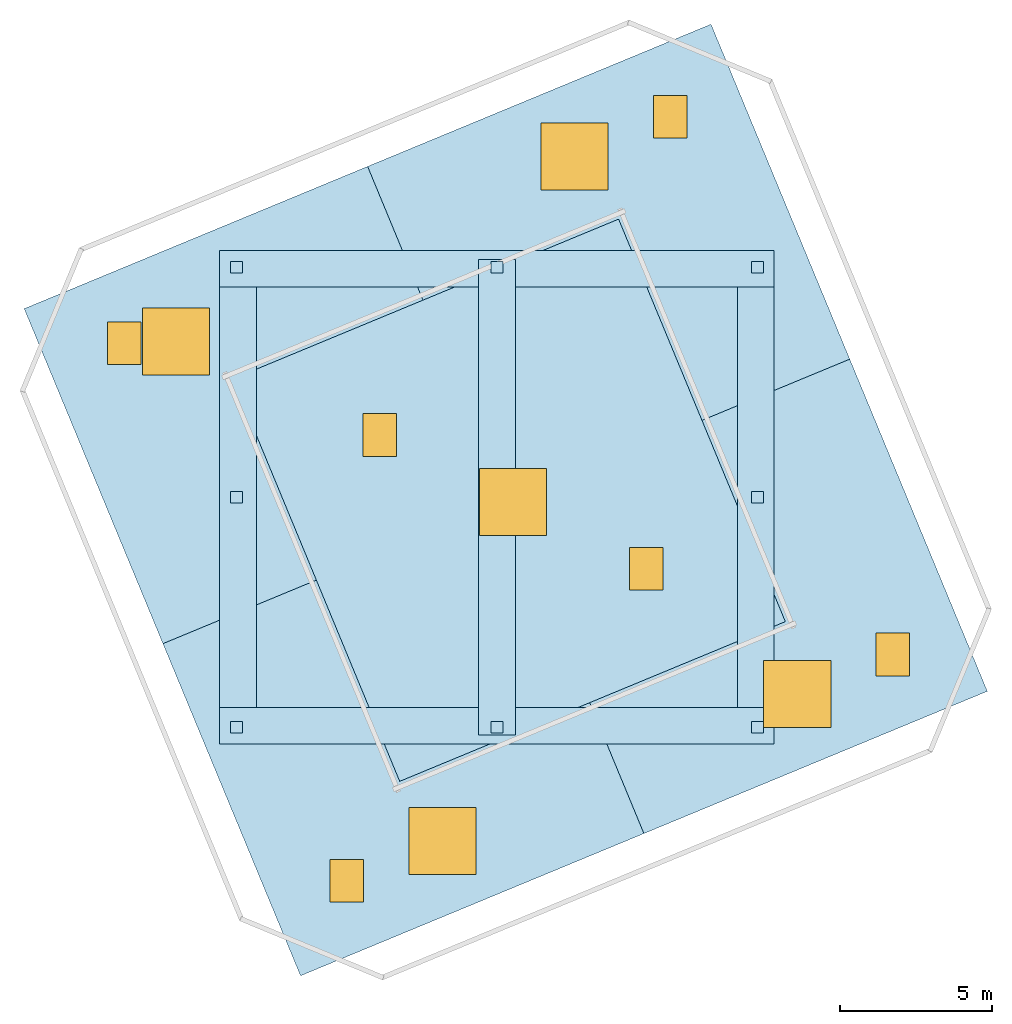
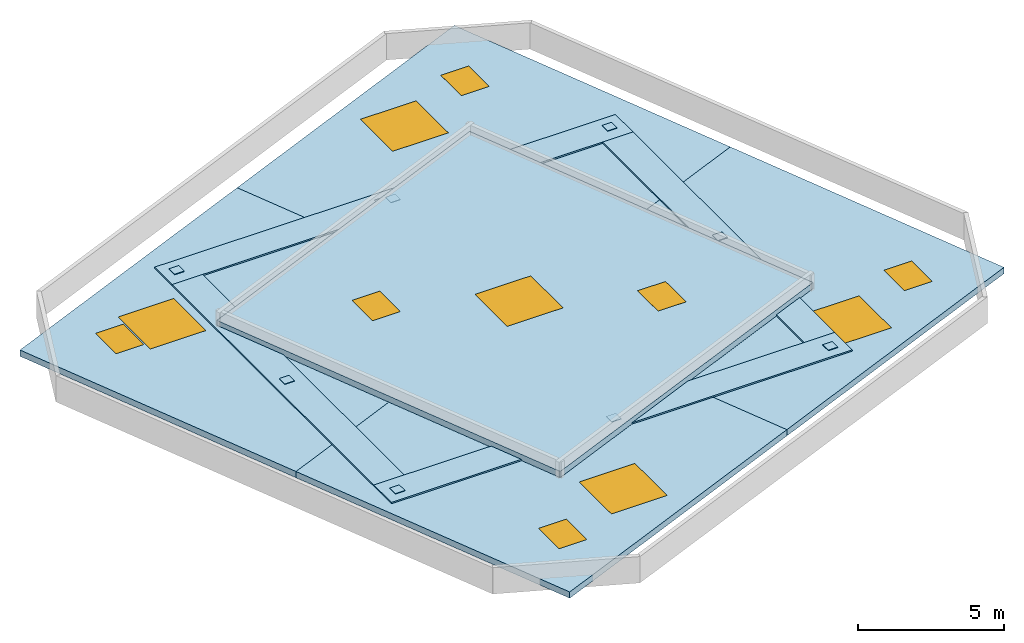
# One storey, part 1 of 2: 11 windows, 8 plates, 5 roofs, 5 slabs, 11 openings.
"""IFC4 building model written with IfcOpenShell, lengths in metres."""

from ifc_helpers import new_model, si_unit, direction, frame, origin, origin_2d, place, context, subcontext, project, spatial, polyline, rectangle, outline, extrude, source, transform, mapped, material, layer, layer_set, type_object, element, fill, save


model = new_model("IFC4")

# Units and contexts
model_context = context("Model", 3, precision=1e-05, world=origin(), true_north=direction((0.0, 1.0)))
body_context = subcontext(model_context, "Body", "Model", "MODEL_VIEW")
ifc_project = project(units=[si_unit("LENGTHUNIT", "METRE"), si_unit("AREAUNIT", "SQUARE_METRE"), si_unit("VOLUMEUNIT", "CUBIC_METRE"), si_unit("PLANEANGLEUNIT", "RADIAN"), si_unit("MASSUNIT", "GRAM", prefix="KILO")], contexts=[model_context])

# Site, building, storey
site_placement = place(None, origin())
site = spatial("IfcSite", under=ifc_project, at=site_placement, CompositionType="ELEMENT")
building_placement = place(site_placement, origin())
building = spatial("IfcBuilding", under=site, at=building_placement, Name="Torre Montelarca", CompositionType="ELEMENT")
storey_placement = place(building_placement, frame((0.0, 0.0, 375.820068359375)))
storey = spatial("IfcBuildingStorey", under=building, at=storey_placement, Name="ROOF", CompositionType="ELEMENT", Elevation=375.820068359375)

# Slab, openings, windows
ifc_material_1 = material(Name="Concrete C40/50", Category="concrete")
ifc_layer_1 = layer(ifc_material_1, 0.260009765625, Name="Concrete C40/50", Category="concrete")
ifc_layer_set_1 = layer_set([ifc_layer_1], Name="Concrete C40/50")
slab_type = type_object("IfcSlabType", Name="SL-ROOF-260", PredefinedType="ROOF", material=ifc_layer_set_1)
slab_1_placement = place(storey_placement, origin())
slab_1 = element("IfcSlab", 1, at=slab_1_placement, inside=storey, type_object=slab_type, Name="RF Crown Lantern Structural Roof Slab 01", PredefinedType="ROOF", context=body_context, shape_type="SweptSolid", body=[
    extrude(outline(polyline([(15.5712890625, 38.47412109375), (21.9921875, 41.133544921875), (24.728515625, 34.52783203125), (29.57861328125, 36.537109375), (25.02490234375, 47.531005859375), (13.75341796875, 42.8623046875), (15.5712890625, 38.47412109375)])), origin(), (0.0, 0.0, 1.0), 0.260009765625),
])
opening_1_placement = place(slab_1_placement, frame((20.54638671875, 43.1865234375, -0.010009765625)))
opening_1 = element("IfcOpeningElement", 2, at=opening_1_placement, cuts=slab_1, Name="Opening SK-02", PredefinedType="OPENING", context=body_context, shape_type="SweptSolid", body=[
    extrude(rectangle(XDim=2.199951171875, YDim=2.199951171875, at=origin_2d()), origin(), (0.0, 0.0, 1.0), 0.280029296875),
])
opening_2_placement = place(slab_1_placement, frame((23.687744140625, 44.48779296875, -0.010009765625)))
opening_2 = element("IfcOpeningElement", 3, at=opening_2_placement, cuts=slab_1, Name="Opening SK-03", PredefinedType="OPENING", context=body_context, shape_type="SweptSolid", body=[
    extrude(rectangle(XDim=1.10009765625, YDim=1.39990234375, at=origin_2d()), origin(), (0.0, 0.0, 1.0), 0.280029296875),
])
ifc_material_2 = material(Name="Insulated low-E laminated glass in aluminium frame", Category="aluminium")
window_type_1 = type_object("IfcWindowType", Name="WIN-SK2", PartitioningType="SINGLE_PANEL", PredefinedType="SKYLIGHT", material=ifc_material_2)
window_1_placement = place(slab_1_placement, frame((20.54638671875, 43.1865234375, 0.2099609375)))
window_1 = element("IfcWindow", 4, at=window_1_placement, inside=storey, type_object=window_type_1, Name="RF Crown Canopy Skylight 01", OverallHeight=2.199951171875, OverallWidth=2.199951171875, PartitioningType="SINGLE_PANEL", PredefinedType="SKYLIGHT", context=body_context, shape_type="SweptSolid", body=[
    extrude(rectangle(XDim=2.199951171875, YDim=2.199951171875, at=origin_2d()), origin(), (0.0, 0.0, 1.0), 0.050048828125),
])
fill(opening_1, window_1)
window_type_2 = type_object("IfcWindowType", Name="WIN-SK3", PartitioningType="SINGLE_PANEL", PredefinedType="SKYLIGHT", material=ifc_material_2)
window_2_placement = place(slab_1_placement, frame((23.687744140625, 44.48779296875, 0.2099609375)))
window_2 = element("IfcWindow", 5, at=window_2_placement, inside=storey, type_object=window_type_2, Name="RF Roof Maintenance Access Skylight Hatch 01", OverallHeight=1.39990234375, OverallWidth=1.10009765625, PartitioningType="SINGLE_PANEL", PredefinedType="SKYLIGHT", context=body_context, shape_type="SweptSolid", body=[
    extrude(rectangle(XDim=1.10009765625, YDim=1.39990234375, at=origin_2d()), origin(), (0.0, 0.0, 1.0), 0.050048828125),
])
fill(opening_2, window_2)

slab_2_placement = place(storey_placement, origin())
slab_2 = element("IfcSlab", 6, at=slab_2_placement, inside=storey, type_object=slab_type, Name="RF Crown Lantern Structural Roof Slab 02", PredefinedType="ROOF", context=body_context, shape_type="SweptSolid", body=[
    extrude(outline(polyline([(24.728515625, 34.52783203125), (27.464599609375, 27.922119140625), (21.043701171875, 25.262451171875), (22.822998046875, 20.96630859375), (34.094482421875, 25.63525390625), (29.57861328125, 36.537109375), (24.728515625, 34.52783203125)])), origin(), (0.0, 0.0, 1.0), 0.260009765625),
])
opening_3_placement = place(slab_2_placement, frame((27.855712890625, 25.54052734375, -0.010009765625)))
opening_3 = element("IfcOpeningElement", 7, at=opening_3_placement, cuts=slab_2, Name="Opening SK-02", PredefinedType="OPENING", context=body_context, shape_type="SweptSolid", body=[
    extrude(rectangle(XDim=2.199951171875, YDim=2.199951171875, at=origin_2d()), origin(), (0.0, 0.0, 1.0), 0.280029296875),
])
opening_4_placement = place(slab_2_placement, frame((30.996826171875, 26.841796875, -0.010009765625)))
opening_4 = element("IfcOpeningElement", 8, at=opening_4_placement, cuts=slab_2, Name="Opening SK-03", PredefinedType="OPENING", context=body_context, shape_type="SweptSolid", body=[
    extrude(rectangle(XDim=1.10009765625, YDim=1.39990234375, at=origin_2d()), origin(), (0.0, 0.0, 1.0), 0.280029296875),
])
window_3_placement = place(slab_2_placement, frame((27.855712890625, 25.54052734375, 0.2099609375)))
window_3 = element("IfcWindow", 9, at=window_3_placement, inside=storey, type_object=window_type_1, Name="RF Crown Canopy Skylight 02", OverallHeight=2.199951171875, OverallWidth=2.199951171875, PartitioningType="SINGLE_PANEL", PredefinedType="SKYLIGHT", context=body_context, shape_type="SweptSolid", body=[
    extrude(rectangle(XDim=2.199951171875, YDim=2.199951171875, at=origin_2d()), origin(), (0.0, 0.0, 1.0), 0.050048828125),
])
fill(opening_3, window_3)
window_4_placement = place(slab_2_placement, frame((30.996826171875, 26.841796875, 0.2099609375)))
window_4 = element("IfcWindow", 10, at=window_4_placement, inside=storey, type_object=window_type_2, Name="RF Roof Maintenance Access Skylight Hatch 02", OverallHeight=1.39990234375, OverallWidth=1.10009765625, PartitioningType="SINGLE_PANEL", PredefinedType="SKYLIGHT", context=body_context, shape_type="SweptSolid", body=[
    extrude(rectangle(XDim=1.10009765625, YDim=1.39990234375, at=origin_2d()), origin(), (0.0, 0.0, 1.0), 0.050048828125),
])
fill(opening_4, window_4)

slab_3_placement = place(storey_placement, origin())
slab_3 = element("IfcSlab", 11, at=slab_3_placement, inside=storey, type_object=slab_type, Name="RF Crown Lantern Structural Roof Slab 03", PredefinedType="ROOF", context=body_context, shape_type="SweptSolid", body=[
    extrude(outline(polyline([(12.0712890625, 29.28515625), (9.3349609375, 35.890869140625), (15.5712890625, 38.47412109375), (13.75341796875, 42.8623046875), (2.482177734375, 38.193603515625), (7.0361328125, 27.199462890625), (12.0712890625, 29.28515625)])), origin(), (0.0, 0.0, 1.0), 0.260009765625),
])
opening_5_placement = place(slab_3_placement, frame((7.47216796875, 37.12158203125, -0.010009765625)))
opening_5 = element("IfcOpeningElement", 12, at=opening_5_placement, cuts=slab_3, Name="Opening SK-02", PredefinedType="OPENING", context=body_context, shape_type="SweptSolid", body=[
    extrude(rectangle(XDim=2.199951171875, YDim=2.199951171875, at=origin_2d()), origin(), (0.0, 0.0, 1.0), 0.280029296875),
])
opening_6_placement = place(slab_3_placement, frame((5.764404296875, 37.063720703125, -0.010009765625)))
opening_6 = element("IfcOpeningElement", 13, at=opening_6_placement, cuts=slab_3, Name="Opening SK-03", PredefinedType="OPENING", context=body_context, shape_type="SweptSolid", body=[
    extrude(rectangle(XDim=1.10009765625, YDim=1.39990234375, at=origin_2d()), origin(), (0.0, 0.0, 1.0), 0.280029296875),
])
window_5_placement = place(slab_3_placement, frame((7.47216796875, 37.12158203125, 0.2099609375)))
window_5 = element("IfcWindow", 14, at=window_5_placement, inside=storey, type_object=window_type_1, Name="RF Crown Canopy Skylight 03", OverallHeight=2.199951171875, OverallWidth=2.199951171875, PartitioningType="SINGLE_PANEL", PredefinedType="SKYLIGHT", context=body_context, shape_type="SweptSolid", body=[
    extrude(rectangle(XDim=2.199951171875, YDim=2.199951171875, at=origin_2d()), origin(), (0.0, 0.0, 1.0), 0.050048828125),
])
fill(opening_5, window_5)
window_6_placement = place(slab_3_placement, frame((5.764404296875, 37.063720703125, 0.2099609375)))
window_6 = element("IfcWindow", 15, at=window_6_placement, inside=storey, type_object=window_type_2, Name="RF Roof Maintenance Access Skylight Hatch 03", OverallHeight=1.39990234375, OverallWidth=1.10009765625, PartitioningType="SINGLE_PANEL", PredefinedType="SKYLIGHT", context=body_context, shape_type="SweptSolid", body=[
    extrude(rectangle(XDim=1.10009765625, YDim=1.39990234375, at=origin_2d()), origin(), (0.0, 0.0, 1.0), 0.050048828125),
])
fill(opening_6, window_6)

slab_4_placement = place(storey_placement, origin())
slab_4 = element("IfcSlab", 16, at=slab_4_placement, inside=storey, type_object=slab_type, Name="RF Crown Lantern Structural Roof Slab 04", PredefinedType="ROOF", context=body_context, shape_type="SweptSolid", body=[
    extrude(outline(polyline([(21.043701171875, 25.262451171875), (14.807373046875, 22.679443359375), (12.0712890625, 29.28515625), (7.0361328125, 27.199462890625), (11.5517578125, 16.297607421875), (22.822998046875, 20.96630859375), (21.043701171875, 25.262451171875)])), origin(), (0.0, 0.0, 1.0), 0.260009765625),
])
opening_7_placement = place(slab_4_placement, frame((16.21484375, 20.71875, -0.010009765625)))
opening_7 = element("IfcOpeningElement", 17, at=opening_7_placement, cuts=slab_4, Name="Opening SK-02", PredefinedType="OPENING", context=body_context, shape_type="SweptSolid", body=[
    extrude(rectangle(XDim=2.199951171875, YDim=2.199951171875, at=origin_2d()), origin(), (0.0, 0.0, 1.0), 0.280029296875),
])
opening_8_placement = place(slab_4_placement, frame((13.07373046875, 19.41748046875, -0.010009765625)))
opening_8 = element("IfcOpeningElement", 18, at=opening_8_placement, cuts=slab_4, Name="Opening SK-03", PredefinedType="OPENING", context=body_context, shape_type="SweptSolid", body=[
    extrude(rectangle(XDim=1.10009765625, YDim=1.39990234375, at=origin_2d()), origin(), (0.0, 0.0, 1.0), 0.280029296875),
])
window_7_placement = place(slab_4_placement, frame((16.21484375, 20.71875, 0.2099609375)))
window_7 = element("IfcWindow", 19, at=window_7_placement, inside=storey, type_object=window_type_1, Name="RF Crown Canopy Skylight 04", OverallHeight=2.199951171875, OverallWidth=2.199951171875, PartitioningType="SINGLE_PANEL", PredefinedType="SKYLIGHT", context=body_context, shape_type="SweptSolid", body=[
    extrude(rectangle(XDim=2.199951171875, YDim=2.199951171875, at=origin_2d()), origin(), (0.0, 0.0, 1.0), 0.050048828125),
])
fill(opening_7, window_7)
window_8_placement = place(slab_4_placement, frame((13.07373046875, 19.41748046875, 0.2099609375)))
window_8 = element("IfcWindow", 20, at=window_8_placement, inside=storey, type_object=window_type_2, Name="RF Roof Maintenance Access Skylight Hatch 04", OverallHeight=1.39990234375, OverallWidth=1.10009765625, PartitioningType="SINGLE_PANEL", PredefinedType="SKYLIGHT", context=body_context, shape_type="SweptSolid", body=[
    extrude(rectangle(XDim=1.10009765625, YDim=1.39990234375, at=origin_2d()), origin(), (0.0, 0.0, 1.0), 0.050048828125),
])
fill(opening_8, window_8)

slab_5_placement = place(storey_placement, frame((0.0, 0.0, 0.27001953125)))
slab_5 = element("IfcSlab", 21, at=slab_5_placement, inside=storey, type_object=slab_type, Name="RF Crown Lantern Structural Roof Slab 05", PredefinedType="ROOF", context=body_context, shape_type="SweptSolid", body=[
    extrude(outline(polyline([(9.00830078125, 36.026123046875), (14.672119140625, 22.352783203125), (27.791259765625, 27.786865234375), (22.12744140625, 41.460205078125), (9.00830078125, 36.026123046875)])), origin(), (0.0, 0.0, 1.0), 0.260009765625),
])
opening_9_placement = place(slab_5_placement, frame((18.530517578125, 31.852294921875, -0.010009765625)))
opening_9 = element("IfcOpeningElement", 22, at=opening_9_placement, cuts=slab_5, Name="Opening SK-02", PredefinedType="OPENING", context=body_context, shape_type="SweptSolid", body=[
    extrude(rectangle(XDim=2.199951171875, YDim=2.199951171875, at=origin_2d()), origin(), (0.0, 0.0, 1.0), 0.280029296875),
])
opening_10_placement = place(slab_5_placement, frame((14.158203125, 34.046142578125, -0.010009765625)))
opening_10 = element("IfcOpeningElement", 23, at=opening_10_placement, cuts=slab_5, Name="Opening SK-03", PredefinedType="OPENING", context=body_context, shape_type="SweptSolid", body=[
    extrude(rectangle(XDim=1.10009765625, YDim=1.39990234375, at=origin_2d()), origin(), (0.0, 0.0, 1.0), 0.280029296875),
])
opening_11_placement = place(slab_5_placement, frame((22.90283203125, 29.65869140625, -0.010009765625)))
opening_11 = element("IfcOpeningElement", 24, at=opening_11_placement, cuts=slab_5, Name="Opening SK-03", PredefinedType="OPENING", context=body_context, shape_type="SweptSolid", body=[
    extrude(rectangle(XDim=1.10009765625, YDim=1.39990234375, at=origin_2d()), origin(), (0.0, 0.0, 1.0), 0.280029296875),
])
window_9_placement = place(slab_5_placement, frame((18.530517578125, 31.852294921875, 0.2099609375)))
window_9 = element("IfcWindow", 25, at=window_9_placement, inside=storey, type_object=window_type_1, Name="RF Crown Canopy Skylight 05", OverallHeight=2.199951171875, OverallWidth=2.199951171875, PartitioningType="SINGLE_PANEL", PredefinedType="SKYLIGHT", context=body_context, shape_type="SweptSolid", body=[
    extrude(rectangle(XDim=2.199951171875, YDim=2.199951171875, at=origin_2d()), origin(), (0.0, 0.0, 1.0), 0.050048828125),
])
fill(opening_9, window_9)
window_10_placement = place(slab_5_placement, frame((14.158203125, 34.046142578125, 0.2099609375)))
window_10 = element("IfcWindow", 26, at=window_10_placement, inside=storey, type_object=window_type_2, Name="RF Roof Maintenance Access Skylight Hatch 05", OverallHeight=1.39990234375, OverallWidth=1.10009765625, PartitioningType="SINGLE_PANEL", PredefinedType="SKYLIGHT", context=body_context, shape_type="SweptSolid", body=[
    extrude(rectangle(XDim=1.10009765625, YDim=1.39990234375, at=origin_2d()), origin(), (0.0, 0.0, 1.0), 0.050048828125),
])
fill(opening_10, window_10)
window_11_placement = place(slab_5_placement, frame((22.90283203125, 29.65869140625, 0.2099609375)))
window_11 = element("IfcWindow", 27, at=window_11_placement, inside=storey, type_object=window_type_2, Name="RF Roof Maintenance Access Skylight Hatch 06", OverallHeight=1.39990234375, OverallWidth=1.10009765625, PartitioningType="SINGLE_PANEL", PredefinedType="SKYLIGHT", context=body_context, shape_type="SweptSolid", body=[
    extrude(rectangle(XDim=1.10009765625, YDim=1.39990234375, at=origin_2d()), origin(), (0.0, 0.0, 1.0), 0.050048828125),
])
fill(opening_11, window_11)

# Plates
ifc_material_3 = material(Name="Steel ASTM A572 Grade 50", Category="steel")
ifc_layer_2 = layer(ifc_material_3, 0.02392578125, Name="Steel ASTM A572 Grade 50", Category="steel")
ifc_layer_set_2 = layer_set([ifc_layer_2], Name="Steel ASTM A572 Grade 50")
plate_type = type_object("IfcPlateType", Name="PL-GUSSET-24-EXT", PredefinedType="SHEET", material=ifc_layer_set_2)
shared_shape = source(origin(), body_context, "Body", "SweptSolid", [
    extrude(rectangle(XDim=0.3798828125, YDim=0.3798828125, at=origin_2d()), origin(), (0.0, 0.0, 1.0), 0.02392578125),
])
for number, where, z_axis, x_axis, name in (
    (28, (9.449951171875, 24.449951171875, 0.31884765625), (0.0, 0.0, 1.0), (1.0, 0.0, 0.0), "RF Crown Frame Post Top Cap Plate 01"),
    (29, (18.0, 24.449951171875, 0.31884765625), (0.0, 0.0, 1.0), (1.0, 0.0, 0.0), "RF Crown Frame Post Top Cap Plate 02"),
    (30, (26.550048828125, 24.449951171875, 0.31884765625), (0.0, 0.0, 1.0), (1.0, 0.0, 0.0), "RF Crown Frame Post Top Cap Plate 03"),
    (31, (9.449951171875, 32.0, 0.31884765625), (0.0, 0.0, 1.0), (1.0, 0.0, 0.0), "RF Crown Frame Post Top Cap Plate 04"),
    (32, (26.550048828125, 32.0, 0.31884765625), (0.0, 0.0, 1.0), (1.0, 0.0, 0.0), "RF Crown Frame Post Top Cap Plate 05"),
    (33, (9.449951171875, 39.550048828125, 0.31884765625), (0.0, 0.0, 1.0), (1.0, 0.0, 0.0), "RF Crown Frame Post Top Cap Plate 06"),
    (34, (18.0, 39.550048828125, 0.31884765625), (0.0, 0.0, 1.0), (1.0, 0.0, 0.0), "RF Crown Frame Post Top Cap Plate 07"),
    (35, (26.550048828125, 39.550048828125, 0.31884765625), (0.0, 0.0, 1.0), (1.0, 0.0, 0.0), "RF Crown Frame Post Top Cap Plate 08"),
):
    element("IfcPlate", number, at=place(storey_placement, frame(where, z_axis=z_axis, x_axis=x_axis)), inside=storey, type_object=plate_type, Name=name, PredefinedType="SHEET", context=body_context, shape_type="MappedRepresentation", body=[
        mapped(shared_shape, transform((0.0, 0.0, 0.0), scale=1.0)),
    ])

# Roofs
ifc_material_4 = material(Name="Precast concrete C45/55", Category="concrete")
ifc_layer_3 = layer(ifc_material_4, 0.199951171875, Name="Precast concrete C45/55", Category="concrete")
ifc_layer_set_3 = layer_set([ifc_layer_3], Name="Precast concrete C45/55")
roof_type = type_object("IfcRoofType", Name="RF-CANOPY-200", PredefinedType="FLAT_ROOF", material=ifc_layer_set_3)
roof_1_placement = place(storey_placement, frame((0.0, 0.0, 0.119873046875)))
element("IfcRoof", 36, at=roof_1_placement, inside=storey, type_object=roof_type, Name="Crown Lantern Architectural Roof Eave 01", PredefinedType="FLAT_ROOF", context=body_context, shape_type="SweptSolid", body=[
    extrude(outline(polyline([(8.89990234375, 23.89990234375), (27.10009765625, 23.89990234375), (27.10009765625, 25.10009765625), (8.89990234375, 25.10009765625), (8.89990234375, 23.89990234375)])), origin(), (0.0, 0.0, 1.0), 0.199951171875),
])
roof_2_placement = place(storey_placement, frame((0.0, 0.0, 0.119873046875)))
element("IfcRoof", 37, at=roof_2_placement, inside=storey, type_object=roof_type, Name="Crown Lantern Architectural Roof Eave 02", PredefinedType="FLAT_ROOF", context=body_context, shape_type="SweptSolid", body=[
    extrude(outline(polyline([(8.89990234375, 38.89990234375), (27.10009765625, 38.89990234375), (27.10009765625, 40.10009765625), (8.89990234375, 40.10009765625), (8.89990234375, 38.89990234375)])), origin(), (0.0, 0.0, 1.0), 0.199951171875),
])
roof_3_placement = place(storey_placement, frame((0.0, 0.0, 0.119873046875)))
element("IfcRoof", 38, at=roof_3_placement, inside=storey, type_object=roof_type, Name="Crown Lantern Architectural Roof Eave 03", PredefinedType="FLAT_ROOF", context=body_context, shape_type="SweptSolid", body=[
    extrude(outline(polyline([(8.89990234375, 25.10009765625), (10.10009765625, 25.10009765625), (10.10009765625, 38.89990234375), (8.89990234375, 38.89990234375), (8.89990234375, 25.10009765625)])), origin(), (0.0, 0.0, 1.0), 0.199951171875),
])
roof_4_placement = place(storey_placement, frame((0.0, 0.0, 0.119873046875)))
element("IfcRoof", 39, at=roof_4_placement, inside=storey, type_object=roof_type, Name="Crown Lantern Architectural Roof Eave 04", PredefinedType="FLAT_ROOF", context=body_context, shape_type="SweptSolid", body=[
    extrude(outline(polyline([(25.89990234375, 25.10009765625), (27.10009765625, 25.10009765625), (27.10009765625, 38.89990234375), (25.89990234375, 38.89990234375), (25.89990234375, 25.10009765625)])), origin(), (0.0, 0.0, 1.0), 0.199951171875),
])
roof_5_placement = place(storey_placement, frame((0.0, 0.0, 0.119873046875)))
element("IfcRoof", 40, at=roof_5_placement, inside=storey, type_object=roof_type, Name="Crown Lantern Architectural Roof Eave 05", PredefinedType="FLAT_ROOF", context=body_context, shape_type="SweptSolid", body=[
    extrude(outline(polyline([(17.39990234375, 24.199951171875), (18.60009765625, 24.199951171875), (18.60009765625, 39.800048828125), (17.39990234375, 39.800048828125), (17.39990234375, 24.199951171875)])), origin(), (0.0, 0.0, 1.0), 0.199951171875),
])

save(model, "model.ifc")
